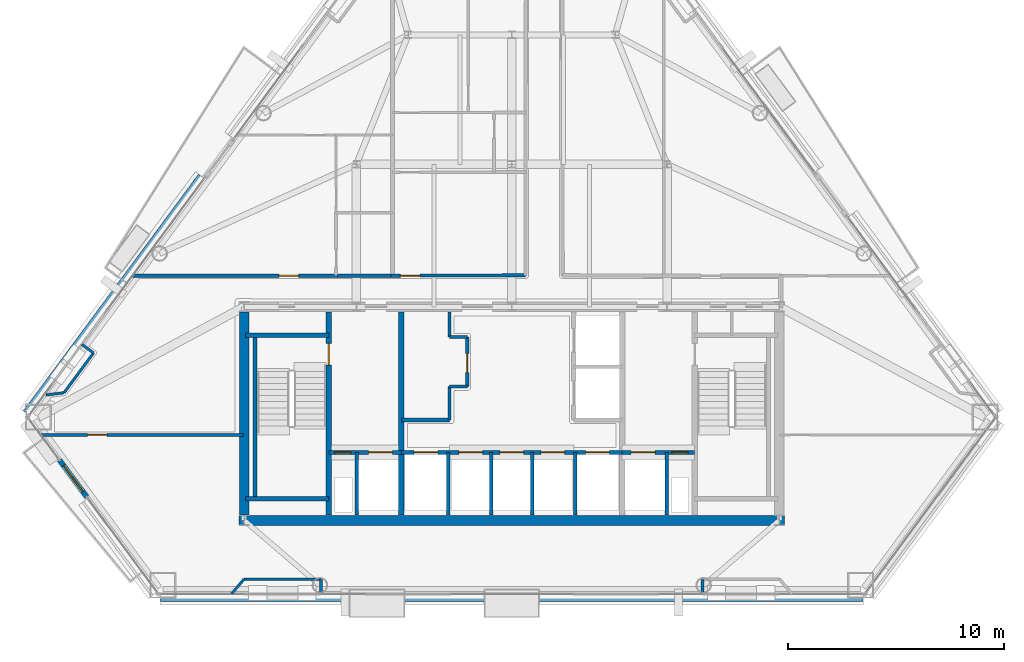
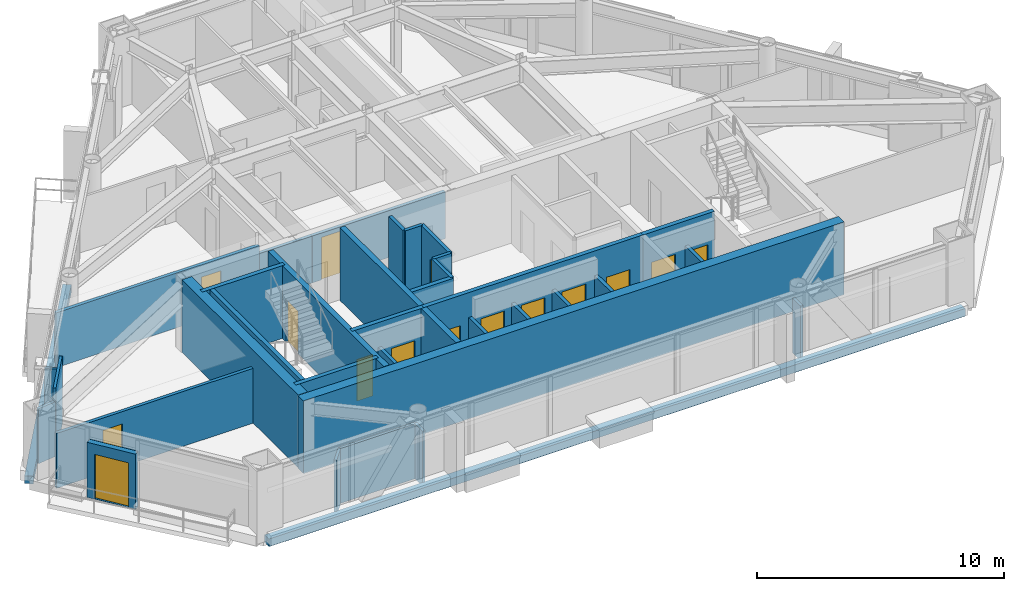
# One storey, part 8 of 13: 36 walls, 15 doors, 15 openings.
"""IFC4 building model written with IfcOpenShell, lengths in metres."""

from ifc_helpers import new_model, si_unit, direction, frame, frame_2d, origin, place, context, subcontext, project, spatial, rectangle, extrude, material, layer, layer_set, type_object, element, fill, save


model = new_model("IFC4")

# Units and contexts
model_context = context("Model", 3, precision=1e-05, world=origin(), true_north=direction((0.0, 1.0)))
body_context = subcontext(model_context, "Body", "Model", "MODEL_VIEW")
ifc_project = project(units=[si_unit("LENGTHUNIT", "METRE"), si_unit("AREAUNIT", "SQUARE_METRE"), si_unit("VOLUMEUNIT", "CUBIC_METRE"), si_unit("PLANEANGLEUNIT", "RADIAN"), si_unit("MASSUNIT", "GRAM", prefix="KILO")], contexts=[model_context])

# Site, building, storey
site_placement = place(None, origin())
site = spatial("IfcSite", under=ifc_project, at=site_placement, CompositionType="ELEMENT")
building_placement = place(site_placement, origin())
building = spatial("IfcBuilding", under=site, at=building_placement, Name="Talgorran Terracotta Tower", CompositionType="ELEMENT")
storey_placement = place(building_placement, frame((0.0, 0.0, 99.60009765625)))
storey = spatial("IfcBuildingStorey", under=building, at=storey_placement, Name="L25", CompositionType="ELEMENT", Elevation=99.60009765625)

# Wall, opening, door
ifc_material_1 = material(Name="Concrete C40/50", Category="concrete")
ifc_layer_1 = layer(ifc_material_1, 0.239990234375, Name="WT_BALCONY_SPAND")
ifc_layer_set_1 = layer_set([ifc_layer_1], Name="Concrete C40/50")
wall_type_1 = type_object("IfcWallType", Name="WT_BALCONY_SPAND", PredefinedType="STANDARD", material=ifc_layer_set_1)
wall_1_placement = place(storey_placement, frame((-20.963134765625, -11.300048828125, -0.01513671875), z_axis=(0.0, 0.0, 1.0), x_axis=(0.59491376708, -0.803789530747, 0.0)))
wall_1 = element("IfcWall", 1, at=wall_1_placement, inside=storey, type_object=wall_type_1, Name="WL-L25-BALP-BAL-SW", PredefinedType="STANDARD", context=body_context, shape_type="SweptSolid", body=[
    extrude(rectangle(XDim=2.14013671875, YDim=0.239990234375, at=frame_2d((1.070068359375, 0.0))), origin(), (0.0, 0.0, 1.0), 2.728515625),
])
opening_1_placement = place(wall_1_placement, frame((0.320068359375, 0.0, 0.014892578125)))
opening_1 = element("IfcOpeningElement", 2, at=opening_1_placement, cuts=wall_1, Name="Opening D-BAL-L25-3", PredefinedType="OPENING", context=body_context, shape_type="SweptSolid", body=[
    extrude(rectangle(XDim=1.506, YDim=2.203951171875, at=frame_2d((0.75, 1.10205078125))), frame((0.0, 0.1298828125, 0.0), z_axis=(0.0, -1.0, 0.0), x_axis=(1.0, 0.0, 0.0)), (0.0, 0.0, 1.0), 0.260009765625),
])
ifc_material_2 = material(Name="Thermally Broken Aluminium", Category="aluminium")
door_type_1 = type_object("IfcDoorType", Name="DT_BALC_1500", OperationType="SLIDING_TO_RIGHT", PredefinedType="DOOR", material=ifc_material_2)
door_1_placement = place(opening_1_placement, origin())
door_1 = element("IfcDoor", 3, at=door_1_placement, inside=storey, type_object=door_type_1, Name="DR-L25-BAL-BAL-SW", OperationType="SLIDING_TO_RIGHT", OverallHeight=2.199951171875, OverallWidth=1.5, PredefinedType="DOOR", context=body_context, shape_type="SweptSolid", body=[
    extrude(rectangle(XDim=1.5, YDim=2.199951171875, at=frame_2d((0.75, 1.10009765625))), frame((0.0, 0.02490234375, 0.0), z_axis=(0.0, -1.0, 0.0), x_axis=(1.0, 0.0, 0.0)), (0.0, 0.0, 1.0), 0.050048828125),
])
fill(opening_1, door_1)

# Walls
ifc_material_3 = material(Name="Concrete C50/60", Category="concrete")
ifc_layer_2 = layer(ifc_material_3, 0.199951171875, Name="WT_CORE_200")
ifc_layer_set_2 = layer_set([ifc_layer_2], Name="Concrete C50/60")
wall_type_2 = type_object("IfcWallType", Name="WT_CORE_200", PredefinedType="SOLIDWALL", material=ifc_layer_set_2)
for number, where, z_axis, x_axis, name in (
    (4, (-12.35009765625, -5.52001953125, 0.0), (0.0, 0.0, 1.0), (1.0, 0.0, 0.0), "WL-L25-CW-ST1-N"),
    (5, (-12.35009765625, -13.10009765625, 0.0), (0.0, 0.0, 1.0), (1.0, 0.0, 0.0), "WL-L25-CW-ST1-S"),
):
    element("IfcWall", number, at=place(storey_placement, frame(where, z_axis=z_axis, x_axis=x_axis)), inside=storey, type_object=wall_type_2, Name=name, PredefinedType="SOLIDWALL", context=body_context, shape_type="SweptSolid", body=[
        extrude(rectangle(XDim=3.8701171875, YDim=0.199951171875, at=frame_2d((1.93505859375, 0.0))), origin(), (0.0, 0.0, 1.0), 3.599853515625),
    ])
wall_2_placement = place(storey_placement, frame((-11.89990234375, -13.10009765625, 0.0), z_axis=(0.0, 0.0, 1.0), x_axis=(0.0, 1.0, 0.0)))
element("IfcWall", 6, at=wall_2_placement, inside=storey, type_object=wall_type_2, Name="WL-L25-CW-ST1-W", PredefinedType="SOLIDWALL", context=body_context, shape_type="SweptSolid", body=[
    extrude(rectangle(XDim=7.580078125, YDim=0.199951171875, at=frame_2d((3.7900390625, 0.0))), origin(), (0.0, 0.0, 1.0), 3.599853515625),
])

# Wall, openings, doors
wall_3_placement = place(storey_placement, frame((-8.47998046875, -10.949951171875, 0.0), z_axis=(0.0, 0.0, 1.0), x_axis=(1.0, 0.0, 0.0)))
wall_3 = element("IfcWall", 7, at=wall_3_placement, inside=storey, type_object=wall_type_2, Name="WL-L25-CW-H-SBW", PredefinedType="SOLIDWALL", context=body_context, shape_type="SweptSolid", body=[
    extrude(rectangle(XDim=3.35986328125, YDim=0.199951171875, at=frame_2d((1.679931640625, 0.0))), origin(), (0.0, 0.0, 1.0), 3.599853515625),
])
opening_2_placement = place(wall_3_placement, frame((0.280029296875, 0.0, 0.0)))
opening_2 = element("IfcOpeningElement", 8, at=opening_2_placement, cuts=wall_3, Name="Opening DR-RSW", PredefinedType="OPENING", context=body_context, shape_type="SweptSolid", body=[
    extrude(rectangle(XDim=0.756, YDim=2.054048828125, at=frame_2d((0.375, 1.027099609375))), frame((0.0, 0.10986328125, 0.0), z_axis=(0.0, -1.0, 0.0), x_axis=(1.0, 0.0, 0.0)), (0.0, 0.0, 1.0), 0.219970703125),
])
opening_3_placement = place(wall_3_placement, frame((1.85009765625, 0.0, 0.0)))
opening_3 = element("IfcOpeningElement", 9, at=opening_3_placement, cuts=wall_3, Name="Opening LD-FFL1", PredefinedType="OPENING", context=body_context, shape_type="SweptSolid", body=[
    extrude(rectangle(XDim=1.10609765625, YDim=2.10409765625, at=frame_2d((0.550048828125, 1.052001953125))), frame((0.0, 0.10986328125, 0.0), z_axis=(0.0, -1.0, 0.0), x_axis=(1.0, 0.0, 0.0)), (0.0, 0.0, 1.0), 0.219970703125),
])
ifc_material_4 = material(Name="Brushed Stainless Steel Grade 304", Category="steel")
door_type_2 = type_object("IfcDoorType", Name="DT_LIFT_LD1100", OperationType="DOUBLE_DOOR_SLIDING", PredefinedType="DOOR", material=ifc_material_4)
door_2_placement = place(opening_3_placement, origin())
door_2 = element("IfcDoor", 10, at=door_2_placement, inside=storey, type_object=door_type_2, Name="L25 Lift Landing Door LD-FFL1", OperationType="DOUBLE_DOOR_SLIDING", OverallHeight=2.10009765625, OverallWidth=1.10009765625, PredefinedType="DOOR", context=body_context, shape_type="SweptSolid", body=[
    extrude(rectangle(XDim=1.10009765625, YDim=2.10009765625, at=frame_2d((0.550048828125, 1.050048828125))), frame((0.0, 0.02490234375, 0.0), z_axis=(0.0, -1.0, 0.0), x_axis=(1.0, 0.0, 0.0)), (0.0, 0.0, 1.0), 0.050048828125),
])
fill(opening_3, door_2)
ifc_material_5 = material(Name="Fire-Rated Pressed Steel", Category="steel")
door_type_3 = type_object("IfcDoorType", Name="DT_RISER_750", OperationType="NOTDEFINED", PredefinedType="DOOR", material=ifc_material_5)
door_3_placement = place(opening_2_placement, origin())
door_3 = element("IfcDoor", 11, at=door_3_placement, inside=storey, type_object=door_type_3, Name="DR-RSW", OperationType="SINGLE_SWING_LEFT", OverallHeight=2.050048828125, OverallWidth=0.75, PredefinedType="DOOR", context=body_context, shape_type="SweptSolid", body=[
    extrude(rectangle(XDim=0.75, YDim=2.050048828125, at=frame_2d((0.375, 1.02490234375))), frame((0.0, 0.02490234375, 0.0), z_axis=(0.0, -1.0, 0.0), x_axis=(1.0, 0.0, 0.0)), (0.0, 0.0, 1.0), 0.050048828125),
])
fill(opening_2, door_3)

wall_4_placement = place(storey_placement, frame((-5.1201171875, -10.949951171875, 0.0), z_axis=(0.0, 0.0, 1.0), x_axis=(1.0, 0.0, 0.0)))
wall_4 = element("IfcWall", 12, at=wall_4_placement, inside=storey, type_object=wall_type_2, Name="WL-L25-CW-H-SBC", PredefinedType="SOLIDWALL", context=body_context, shape_type="SweptSolid", body=[
    extrude(rectangle(XDim=10.240234375, YDim=0.199951171875, at=frame_2d((5.1201171875, 0.0))), origin(), (0.0, 0.0, 1.0), 3.599853515625),
])
opening_4_placement = place(wall_4_placement, frame((0.60009765625, 0.0, 0.0)))
opening_4 = element("IfcOpeningElement", 13, at=opening_4_placement, cuts=wall_4, Name="Opening LD-OB1", PredefinedType="OPENING", context=body_context, shape_type="SweptSolid", body=[
    extrude(rectangle(XDim=1.10609765625, YDim=2.10409765625, at=frame_2d((0.550048828125, 1.052001953125))), frame((0.0, 0.10986328125, 0.0), z_axis=(0.0, -1.0, 0.0), x_axis=(1.0, 0.0, 0.0)), (0.0, 0.0, 1.0), 0.219970703125),
])
opening_5_placement = place(wall_4_placement, frame((2.669921875, 0.0, 0.0)))
opening_5 = element("IfcOpeningElement", 14, at=opening_5_placement, cuts=wall_4, Name="Opening LD-PLH1", PredefinedType="OPENING", context=body_context, shape_type="SweptSolid", body=[
    extrude(rectangle(XDim=1.10609765625, YDim=2.10409765625, at=frame_2d((0.550048828125, 1.052001953125))), frame((0.0, 0.10986328125, 0.0), z_axis=(0.0, -1.0, 0.0), x_axis=(1.0, 0.0, 0.0)), (0.0, 0.0, 1.0), 0.219970703125),
])
opening_6_placement = place(wall_4_placement, frame((4.570068359375, 0.0, 0.0)))
opening_6 = element("IfcOpeningElement", 15, at=opening_6_placement, cuts=wall_4, Name="Opening LD-PLH2", PredefinedType="OPENING", context=body_context, shape_type="SweptSolid", body=[
    extrude(rectangle(XDim=1.10609765625, YDim=2.10409765625, at=frame_2d((0.550048828125, 1.052001953125))), frame((0.0, 0.10986328125, 0.0), z_axis=(0.0, -1.0, 0.0), x_axis=(1.0, 0.0, 0.0)), (0.0, 0.0, 1.0), 0.219970703125),
])
opening_7_placement = place(wall_4_placement, frame((6.469970703125, 0.0, 0.0)))
opening_7 = element("IfcOpeningElement", 16, at=opening_7_placement, cuts=wall_4, Name="Opening LD-PLH3", PredefinedType="OPENING", context=body_context, shape_type="SweptSolid", body=[
    extrude(rectangle(XDim=1.10609765625, YDim=2.10409765625, at=frame_2d((0.550048828125, 1.052001953125))), frame((0.0, 0.10986328125, 0.0), z_axis=(0.0, -1.0, 0.0), x_axis=(1.0, 0.0, 0.0)), (0.0, 0.0, 1.0), 0.219970703125),
])
opening_8_placement = place(wall_4_placement, frame((8.5400390625, 0.0, 0.0)))
opening_8 = element("IfcOpeningElement", 17, at=opening_8_placement, cuts=wall_4, Name="Opening LD-SVL1", PredefinedType="OPENING", context=body_context, shape_type="SweptSolid", body=[
    extrude(rectangle(XDim=1.10609765625, YDim=2.10409765625, at=frame_2d((0.550048828125, 1.052001953125))), frame((0.0, 0.10986328125, 0.0), z_axis=(0.0, -1.0, 0.0), x_axis=(1.0, 0.0, 0.0)), (0.0, 0.0, 1.0), 0.219970703125),
])
door_4_placement = place(opening_4_placement, origin())
door_4 = element("IfcDoor", 18, at=door_4_placement, inside=storey, type_object=door_type_2, Name="L25 Lift Landing Door LD-OB1", OperationType="DOUBLE_DOOR_SLIDING", OverallHeight=2.10009765625, OverallWidth=1.10009765625, PredefinedType="DOOR", context=body_context, shape_type="SweptSolid", body=[
    extrude(rectangle(XDim=1.10009765625, YDim=2.10009765625, at=frame_2d((0.550048828125, 1.050048828125))), frame((0.0, 0.02490234375, 0.0), z_axis=(0.0, -1.0, 0.0), x_axis=(1.0, 0.0, 0.0)), (0.0, 0.0, 1.0), 0.050048828125),
])
fill(opening_4, door_4)
door_5_placement = place(opening_5_placement, origin())
door_5 = element("IfcDoor", 19, at=door_5_placement, inside=storey, type_object=door_type_2, Name="L25 Lift Landing Door LD-PLH1", OperationType="DOUBLE_DOOR_SLIDING", OverallHeight=2.10009765625, OverallWidth=1.10009765625, PredefinedType="DOOR", context=body_context, shape_type="SweptSolid", body=[
    extrude(rectangle(XDim=1.10009765625, YDim=2.10009765625, at=frame_2d((0.550048828125, 1.050048828125))), frame((0.0, 0.02490234375, 0.0), z_axis=(0.0, -1.0, 0.0), x_axis=(1.0, 0.0, 0.0)), (0.0, 0.0, 1.0), 0.050048828125),
])
fill(opening_5, door_5)
door_6_placement = place(opening_6_placement, origin())
door_6 = element("IfcDoor", 20, at=door_6_placement, inside=storey, type_object=door_type_2, Name="L25 Lift Landing Door LD-PLH2", OperationType="DOUBLE_DOOR_SLIDING", OverallHeight=2.10009765625, OverallWidth=1.10009765625, PredefinedType="DOOR", context=body_context, shape_type="SweptSolid", body=[
    extrude(rectangle(XDim=1.10009765625, YDim=2.10009765625, at=frame_2d((0.550048828125, 1.050048828125))), frame((0.0, 0.02490234375, 0.0), z_axis=(0.0, -1.0, 0.0), x_axis=(1.0, 0.0, 0.0)), (0.0, 0.0, 1.0), 0.050048828125),
])
fill(opening_6, door_6)
door_7_placement = place(opening_7_placement, origin())
door_7 = element("IfcDoor", 21, at=door_7_placement, inside=storey, type_object=door_type_2, Name="L25 Lift Landing Door LD-PLH3", OperationType="DOUBLE_DOOR_SLIDING", OverallHeight=2.10009765625, OverallWidth=1.10009765625, PredefinedType="DOOR", context=body_context, shape_type="SweptSolid", body=[
    extrude(rectangle(XDim=1.10009765625, YDim=2.10009765625, at=frame_2d((0.550048828125, 1.050048828125))), frame((0.0, 0.02490234375, 0.0), z_axis=(0.0, -1.0, 0.0), x_axis=(1.0, 0.0, 0.0)), (0.0, 0.0, 1.0), 0.050048828125),
])
fill(opening_7, door_7)
door_8_placement = place(opening_8_placement, origin())
door_8 = element("IfcDoor", 22, at=door_8_placement, inside=storey, type_object=door_type_2, Name="L25 Lift Landing Door LD-SVL1", OperationType="DOUBLE_DOOR_SLIDING", OverallHeight=2.10009765625, OverallWidth=1.10009765625, PredefinedType="DOOR", context=body_context, shape_type="SweptSolid", body=[
    extrude(rectangle(XDim=1.10009765625, YDim=2.10009765625, at=frame_2d((0.550048828125, 1.050048828125))), frame((0.0, 0.02490234375, 0.0), z_axis=(0.0, -1.0, 0.0), x_axis=(1.0, 0.0, 0.0)), (0.0, 0.0, 1.0), 0.050048828125),
])
fill(opening_8, door_8)

wall_5_placement = place(storey_placement, frame((5.1201171875, -10.949951171875, 0.0), z_axis=(0.0, 0.0, 1.0), x_axis=(1.0, 0.0, 0.0)))
wall_5 = element("IfcWall", 23, at=wall_5_placement, inside=storey, type_object=wall_type_2, Name="WL-L25-CW-H-SBE", PredefinedType="SOLIDWALL", context=body_context, shape_type="SweptSolid", body=[
    extrude(rectangle(XDim=3.35986328125, YDim=0.199951171875, at=frame_2d((1.679931640625, 0.0))), origin(), (0.0, 0.0, 1.0), 3.599853515625),
])
opening_9_placement = place(wall_5_placement, frame((0.419921875, 0.0, 0.0)))
opening_9 = element("IfcOpeningElement", 24, at=opening_9_placement, cuts=wall_5, Name="Opening LD-FFL2", PredefinedType="OPENING", context=body_context, shape_type="SweptSolid", body=[
    extrude(rectangle(XDim=1.10609765625, YDim=2.10409765625, at=frame_2d((0.550048828125, 1.052001953125))), frame((0.0, 0.10986328125, 0.0), z_axis=(0.0, -1.0, 0.0), x_axis=(1.0, 0.0, 0.0)), (0.0, 0.0, 1.0), 0.219970703125),
])
opening_10_placement = place(wall_5_placement, frame((2.300048828125, 0.0, 0.0)))
opening_10 = element("IfcOpeningElement", 25, at=opening_10_placement, cuts=wall_5, Name="Opening DR-RSE", PredefinedType="OPENING", context=body_context, shape_type="SweptSolid", body=[
    extrude(rectangle(XDim=0.756, YDim=2.054048828125, at=frame_2d((0.375, 1.027099609375))), frame((0.0, 0.10986328125, 0.0), z_axis=(0.0, -1.0, 0.0), x_axis=(1.0, 0.0, 0.0)), (0.0, 0.0, 1.0), 0.219970703125),
])
door_9_placement = place(opening_9_placement, origin())
door_9 = element("IfcDoor", 26, at=door_9_placement, inside=storey, type_object=door_type_2, Name="L25 Lift Landing Door LD-FFL2", OperationType="DOUBLE_DOOR_SLIDING", OverallHeight=2.10009765625, OverallWidth=1.10009765625, PredefinedType="DOOR", context=body_context, shape_type="SweptSolid", body=[
    extrude(rectangle(XDim=1.10009765625, YDim=2.10009765625, at=frame_2d((0.550048828125, 1.050048828125))), frame((0.0, 0.02490234375, 0.0), z_axis=(0.0, -1.0, 0.0), x_axis=(1.0, 0.0, 0.0)), (0.0, 0.0, 1.0), 0.050048828125),
])
fill(opening_9, door_9)
door_10_placement = place(opening_10_placement, origin())
door_10 = element("IfcDoor", 27, at=door_10_placement, inside=storey, type_object=door_type_3, Name="DR-RSE", OperationType="SINGLE_SWING_RIGHT", OverallHeight=2.050048828125, OverallWidth=0.75, PredefinedType="DOOR", context=body_context, shape_type="SweptSolid", body=[
    extrude(rectangle(XDim=0.75, YDim=2.050048828125, at=frame_2d((0.375, 1.02490234375))), frame((0.0, 0.02490234375, 0.0), z_axis=(0.0, -1.0, 0.0), x_axis=(1.0, 0.0, 0.0)), (0.0, 0.0, 1.0), 0.050048828125),
])
fill(opening_10, door_10)

# Wall
wall_6_placement = place(storey_placement, frame((-5.1201171875, -9.449951171875, 0.0), z_axis=(0.0, 0.0, 1.0), x_axis=(1.0, 0.0, 0.0)))
element("IfcWall", 28, at=wall_6_placement, inside=storey, type_object=wall_type_2, Name="WL-L25-CW-H-W4", PredefinedType="SOLIDWALL", context=body_context, shape_type="SweptSolid", body=[
    extrude(rectangle(XDim=2.240234375, YDim=0.199951171875, at=frame_2d((1.1201171875, 0.0))), origin(), (0.0, 0.0, 1.0), 3.349853515625),
])

# Wall, opening, door
ifc_layer_3 = layer(ifc_material_3, 0.25, Name="WT_CORE_250")
ifc_layer_set_3 = layer_set([ifc_layer_3], Name="Concrete C50/60")
wall_type_3 = type_object("IfcWallType", Name="WT_CORE_250", PredefinedType="SHEAR", material=ifc_layer_set_3)
wall_7_placement = place(storey_placement, frame((-8.47998046875, -13.85009765625, 0.0), z_axis=(0.0, 0.0, 1.0), x_axis=(0.0, 1.0, 0.0)))
wall_7 = element("IfcWall", 29, at=wall_7_placement, inside=storey, type_object=wall_type_3, Name="WL-L25-CW-V-W1", PredefinedType="SHEAR", context=body_context, shape_type="SweptSolid", body=[
    extrude(rectangle(XDim=9.400146484375, YDim=0.25, at=frame_2d((4.7001953125, 0.0))), origin(), (0.0, 0.0, 1.0), 3.599853515625),
])
opening_11_placement = place(wall_7_placement, frame((6.949951171875, 0.0, 0.0)))
opening_11 = element("IfcOpeningElement", 30, at=opening_11_placement, cuts=wall_7, Name="Opening DR-ST01", PredefinedType="OPENING", context=body_context, shape_type="SweptSolid", body=[
    extrude(rectangle(XDim=1.006, YDim=2.10409765625, at=frame_2d((0.5, 1.052001953125))), frame((0.0, 0.135009765625, 0.0), z_axis=(0.0, -1.0, 0.0), x_axis=(1.0, 0.0, 0.0)), (0.0, 0.0, 1.0), 0.27001953125),
])
door_type_4 = type_object("IfcDoorType", Name="DT_FIRE_1000", OperationType="NOTDEFINED", PredefinedType="DOOR", material=ifc_material_5)
door_11_placement = place(opening_11_placement, origin())
door_11 = element("IfcDoor", 31, at=door_11_placement, inside=storey, type_object=door_type_4, Name="DR-ST01", OperationType="SINGLE_SWING_LEFT", OverallHeight=2.10009765625, OverallWidth=1.0, PredefinedType="DOOR", context=body_context, shape_type="SweptSolid", body=[
    extrude(rectangle(XDim=1.0, YDim=2.10009765625, at=frame_2d((0.5, 1.050048828125))), frame((0.0, 0.02490234375, 0.0), z_axis=(0.0, -1.0, 0.0), x_axis=(1.0, 0.0, 0.0)), (0.0, 0.0, 1.0), 0.050048828125),
])
fill(opening_11, door_11)

# Walls
wall_8_placement = place(storey_placement, frame((-5.1201171875, -13.85009765625, 0.0), z_axis=(0.0, 0.0, 1.0), x_axis=(0.0, 1.0, 0.0)))
element("IfcWall", 32, at=wall_8_placement, inside=storey, type_object=wall_type_3, Name="WL-L25-CW-V-W2", PredefinedType="SHEAR", context=body_context, shape_type="SweptSolid", body=[
    extrude(rectangle(XDim=9.400146484375, YDim=0.25, at=frame_2d((4.7001953125, 0.0))), origin(), (0.0, 0.0, 1.0), 3.599853515625),
])
ifc_material_6 = material(Name="Concrete C65/80", Category="concrete")
ifc_layer_4 = layer(ifc_material_6, 0.449951171875, Name="WT_CORE_EXT")
ifc_layer_set_4 = layer_set([ifc_layer_4], Name="Concrete C65/80")
wall_type_4 = type_object("IfcWallType", Name="WT_CORE_EXT", PredefinedType="SHEAR", material=ifc_layer_set_4)
wall_9_placement = place(storey_placement, frame((-12.64990234375, -14.10009765625, 0.0), z_axis=(0.0, 0.0, 1.0), x_axis=(1.0, 0.0, 0.0)))
element("IfcWall", 33, at=wall_9_placement, inside=storey, type_object=wall_type_4, Name="WL-L25-CW-OUT-S", PredefinedType="SHEAR", context=body_context, shape_type="SweptSolid", body=[
    extrude(rectangle(XDim=25.2998046875, YDim=0.449951171875, at=frame_2d((12.64990234375, 0.0))), origin(), (0.0, 0.0, 1.0), 3.599853515625),
])
wall_10_placement = place(storey_placement, frame((-12.39990234375, -13.85009765625, 0.0), z_axis=(0.0, 0.0, 1.0), x_axis=(0.0, 1.0, 0.0)))
element("IfcWall", 34, at=wall_10_placement, inside=storey, type_object=wall_type_4, Name="WL-L25-CW-OUT-W", PredefinedType="SHEAR", context=body_context, shape_type="SweptSolid", body=[
    extrude(rectangle(XDim=9.400146484375, YDim=0.449951171875, at=frame_2d((4.7001953125, 0.0))), origin(), (0.0, 0.0, 1.0), 3.599853515625),
])
ifc_material_7 = material(Name="Fire-Rated Steel Stud Plasterboard", Category="steel")
ifc_layer_5 = layer(ifc_material_7, 0.14990234375, Name="WT_FIRE_150")
ifc_layer_set_5 = layer_set([ifc_layer_5], Name="Fire-Rated Steel Stud Plasterboard")
wall_type_5 = type_object("IfcWallType", Name="WT_FIRE_150", PredefinedType="PARTITIONING", material=ifc_layer_set_5)
wall_11_placement = place(storey_placement, frame((-2.8798828125, -9.449951171875, 0.0), z_axis=(0.0, 0.0, 1.0), x_axis=(0.0, 1.0, 0.0)))
element("IfcWall", 35, at=wall_11_placement, inside=storey, type_object=wall_type_5, Name="WL-L25-CW-V-W3A", PredefinedType="PARTITIONING", context=body_context, shape_type="SweptSolid", body=[
    extrude(rectangle(XDim=1.550048828125, YDim=0.14990234375, at=frame_2d((0.77490234375, 0.0))), origin(), (0.0, 0.0, 1.0), 3.349853515625),
])
wall_12_placement = place(storey_placement, frame((-2.8798828125, -7.89990234375, 0.0), z_axis=(0.0, 0.0, 1.0), x_axis=(1.0, 0.0, 0.0)))
element("IfcWall", 36, at=wall_12_placement, inside=storey, type_object=wall_type_5, Name="WL-L25-CW-H-W3B", PredefinedType="PARTITIONING", context=body_context, shape_type="SweptSolid", body=[
    extrude(rectangle(XDim=0.81982421875, YDim=0.14990234375, at=frame_2d((0.409912109375, 0.0))), origin(), (0.0, 0.0, 1.0), 3.349853515625),
])

# Wall, opening, door
wall_13_placement = place(storey_placement, frame((-2.06005859375, -7.89990234375, 0.0), z_axis=(0.0, 0.0, 1.0), x_axis=(0.0, 1.0, 0.0)))
wall_13 = element("IfcWall", 37, at=wall_13_placement, inside=storey, type_object=wall_type_5, Name="WL-L25-CW-V-W3C", PredefinedType="PARTITIONING", context=body_context, shape_type="SweptSolid", body=[
    extrude(rectangle(XDim=2.2998046875, YDim=0.14990234375, at=frame_2d((1.14990234375, 0.0))), origin(), (0.0, 0.0, 1.0), 3.349853515625),
])
opening_12_placement = place(wall_13_placement, frame((0.64990234375, 0.0, 0.0)))
opening_12 = element("IfcOpeningElement", 38, at=opening_12_placement, cuts=wall_13, Name="Opening DR-FRPLL-B", PredefinedType="OPENING", context=body_context, shape_type="SweptSolid", body=[
    extrude(rectangle(XDim=0.8858828125, YDim=2.10409765625, at=frame_2d((0.43994140625, 1.052001953125))), frame((0.0, 0.0849609375, 0.0), z_axis=(0.0, -1.0, 0.0), x_axis=(1.0, 0.0, 0.0)), (0.0, 0.0, 1.0), 0.169921875),
])
ifc_material_8 = material(Name="Solid-Core Painted Timber", Category="wood")
door_type_5 = type_object("IfcDoorType", Name="DT_INT_880", OperationType="NOTDEFINED", PredefinedType="DOOR", material=ifc_material_8)
door_12_placement = place(opening_12_placement, origin())
door_12 = element("IfcDoor", 39, at=door_12_placement, inside=storey, type_object=door_type_5, Name="DR-FRPLL-B", OperationType="SINGLE_SWING_LEFT", OverallHeight=2.10009765625, OverallWidth=0.8798828125, PredefinedType="DOOR", context=body_context, shape_type="SweptSolid", body=[
    extrude(rectangle(XDim=0.8798828125, YDim=2.10009765625, at=frame_2d((0.43994140625, 1.050048828125))), frame((0.0, 0.02490234375, 0.0), z_axis=(0.0, -1.0, 0.0), x_axis=(1.0, 0.0, 0.0)), (0.0, 0.0, 1.0), 0.050048828125),
])
fill(opening_12, door_12)

# Walls
wall_14_placement = place(storey_placement, frame((-2.8798828125, -5.60009765625, 0.0), z_axis=(0.0, 0.0, 1.0), x_axis=(1.0, 0.0, 0.0)))
element("IfcWall", 40, at=wall_14_placement, inside=storey, type_object=wall_type_5, Name="WL-L25-CW-H-W3D", PredefinedType="PARTITIONING", context=body_context, shape_type="SweptSolid", body=[
    extrude(rectangle(XDim=0.81982421875, YDim=0.14990234375, at=frame_2d((0.409912109375, 0.0))), origin(), (0.0, 0.0, 1.0), 3.349853515625),
])
wall_15_placement = place(storey_placement, frame((-2.8798828125, -5.60009765625, 0.0), z_axis=(0.0, 0.0, 1.0), x_axis=(0.0, 1.0, 0.0)))
element("IfcWall", 41, at=wall_15_placement, inside=storey, type_object=wall_type_5, Name="WL-L25-CW-V-W3E", PredefinedType="PARTITIONING", context=body_context, shape_type="SweptSolid", body=[
    extrude(rectangle(XDim=1.150146484375, YDim=0.14990234375, at=frame_2d((0.5751953125, 0.0))), origin(), (0.0, 0.0, 1.0), 3.349853515625),
])

# Wall, opening, door
wall_16_placement = place(storey_placement, frame((-17.579833984375, -2.760009765625, 0.0), z_axis=(0.0, 0.0, 1.0), x_axis=(1.0, 0.0, 0.0)))
wall_16 = element("IfcWall", 42, at=wall_16_placement, inside=storey, type_object=wall_type_5, Name="WL-L25-W-L25-R02", PredefinedType="PARTITIONING", context=body_context, shape_type="SweptSolid", body=[
    extrude(rectangle(XDim=9.499755859375, YDim=0.14990234375, at=frame_2d((4.75, 0.0))), origin(), (0.0, 0.0, 1.0), 2.71337890625),
])
opening_13_placement = place(wall_16_placement, frame((6.803955078125, 0.0, 0.0)))
opening_13 = element("IfcOpeningElement", 43, at=opening_13_placement, cuts=wall_16, Name="Opening DR-L25-R03", PredefinedType="OPENING", context=body_context, shape_type="SweptSolid", body=[
    extrude(rectangle(XDim=0.90590234375, YDim=2.10409765625, at=frame_2d((0.449951171875, 1.052001953125))), frame((0.0, 0.0849609375, 0.0), z_axis=(0.0, -1.0, 0.0), x_axis=(1.0, 0.0, 0.0)), (0.0, 0.0, 1.0), 0.169921875),
])
ifc_material_9 = material(Name="Fire-Rated Timber Core", Category="wood")
door_type_6 = type_object("IfcDoorType", Name="DT_FIRE_900", OperationType="NOTDEFINED", PredefinedType="DOOR", material=ifc_material_9)
door_13_placement = place(opening_13_placement, origin())
door_13 = element("IfcDoor", 44, at=door_13_placement, inside=storey, type_object=door_type_6, Name="DR-L25-R03", OperationType="SINGLE_SWING_LEFT", OverallHeight=2.10009765625, OverallWidth=0.89990234375, PredefinedType="DOOR", context=body_context, shape_type="SweptSolid", body=[
    extrude(rectangle(XDim=0.89990234375, YDim=2.10009765625, at=frame_2d((0.449951171875, 1.050048828125))), frame((0.0, 0.02490234375, 0.0), z_axis=(0.0, -1.0, 0.0), x_axis=(1.0, 0.0, 0.0)), (0.0, 0.0, 1.0), 0.050048828125),
])
fill(opening_13, door_13)

wall_17_placement = place(storey_placement, frame((-21.82177734375, -10.139892578125, 0.0), z_axis=(0.0, 0.0, 1.0), x_axis=(1.0, 0.0, 0.0)))
wall_17 = element("IfcWall", 45, at=wall_17_placement, inside=storey, type_object=wall_type_5, Name="WL-L25-W-L25-R12", PredefinedType="PARTITIONING", context=body_context, shape_type="SweptSolid", body=[
    extrude(rectangle(XDim=9.3818359375, YDim=0.14990234375, at=frame_2d((4.69091796875, 0.0))), origin(), (0.0, 0.0, 1.0), 2.71337890625),
])
opening_14_placement = place(wall_17_placement, frame((2.170166015625, 0.0, 0.0)))
opening_14 = element("IfcOpeningElement", 46, at=opening_14_placement, cuts=wall_17, Name="Opening DR-L25-R12", PredefinedType="OPENING", context=body_context, shape_type="SweptSolid", body=[
    extrude(rectangle(XDim=0.90590234375, YDim=2.10409765625, at=frame_2d((0.449951171875, 1.052001953125))), frame((0.0, 0.0849609375, 0.0), z_axis=(0.0, -1.0, 0.0), x_axis=(1.0, 0.0, 0.0)), (0.0, 0.0, 1.0), 0.169921875),
])
door_14_placement = place(opening_14_placement, origin())
door_14 = element("IfcDoor", 47, at=door_14_placement, inside=storey, type_object=door_type_6, Name="DR-L25-R12", OperationType="SINGLE_SWING_RIGHT", OverallHeight=2.10009765625, OverallWidth=0.89990234375, PredefinedType="DOOR", context=body_context, shape_type="SweptSolid", body=[
    extrude(rectangle(XDim=0.89990234375, YDim=2.10009765625, at=frame_2d((0.449951171875, 1.050048828125))), frame((0.0, 0.02490234375, 0.0), z_axis=(0.0, -1.0, 0.0), x_axis=(1.0, 0.0, 0.0)), (0.0, 0.0, 1.0), 0.050048828125),
])
fill(opening_14, door_14)

wall_18_placement = place(storey_placement, frame((-5.60009765625, -2.760009765625, 0.0), z_axis=(0.0, 0.0, 1.0), x_axis=(0.999994853563, 0.003208246723, 0.0)))
wall_18 = element("IfcWall", 48, at=wall_18_placement, inside=storey, type_object=wall_type_5, Name="WL-L25-W-L25-R03", PredefinedType="PARTITIONING", context=body_context, shape_type="SweptSolid", body=[
    extrude(rectangle(XDim=6.239990234375, YDim=0.14990234375, at=frame_2d((3.1201171875, 0.0))), origin(), (0.0, 0.0, 1.0), 2.324951171875),
])
opening_15_placement = place(wall_18_placement, frame((0.438720703125, 0.0, 0.0)))
opening_15 = element("IfcOpeningElement", 49, at=opening_15_placement, cuts=wall_18, Name="Opening DR-L25-R05", PredefinedType="OPENING", context=body_context, shape_type="SweptSolid", body=[
    extrude(rectangle(XDim=0.90590234375, YDim=2.10409765625, at=frame_2d((0.449951171875, 1.052001953125))), frame((0.0, 0.0849609375, 0.0), z_axis=(0.0, -1.0, 0.0), x_axis=(1.0, 0.0, 0.0)), (0.0, 0.0, 1.0), 0.169921875),
])
door_15_placement = place(opening_15_placement, origin())
door_15 = element("IfcDoor", 50, at=door_15_placement, inside=storey, type_object=door_type_6, Name="DR-L25-R05", OperationType="SINGLE_SWING_LEFT", OverallHeight=2.10009765625, OverallWidth=0.89990234375, PredefinedType="DOOR", context=body_context, shape_type="SweptSolid", body=[
    extrude(rectangle(XDim=0.89990234375, YDim=2.10009765625, at=frame_2d((0.449951171875, 1.050048828125))), frame((0.0, 0.02490234375, 0.0), z_axis=(0.0, -1.0, 0.0), x_axis=(1.0, 0.0, 0.0)), (0.0, 0.0, 1.0), 0.050048828125),
])
fill(opening_15, door_15)

# Walls
wall_19_placement = place(storey_placement, frame((-8.077880859375, -2.760009765625, 0.0), z_axis=(0.0, 0.0, 1.0), x_axis=(1.0, 0.0, 0.0)))
element("IfcWall", 51, at=wall_19_placement, inside=storey, type_object=wall_type_5, Name="WL-L25-W-L25-R01", PredefinedType="PARTITIONING", context=body_context, shape_type="SweptSolid", body=[
    extrude(rectangle(XDim=2.475830078125, YDim=0.14990234375, at=frame_2d((1.23779296875, 0.0))), origin(), (0.0, 0.0, 1.0), 2.324951171875),
])
ifc_layer_6 = layer(ifc_material_1, 0.219970703125, Name="WT_PARAPET_RC")
ifc_layer_set_6 = layer_set([ifc_layer_6], Name="Concrete C40/50")
wall_type_6 = type_object("IfcWallType", Name="WT_PARAPET_RC", PredefinedType="PARAPET", material=ifc_layer_set_6)
wall_20_placement = place(storey_placement, frame((-16.28857421875, -17.667724609375, -0.2001953125), z_axis=(0.0, 0.0, 1.0), x_axis=(1.0, 0.0, 0.0)))
element("IfcWall", 52, at=wall_20_placement, inside=storey, type_object=wall_type_6, Name="L25 Striped Portal Precast Cornice F1", PredefinedType="PARAPET", context=body_context, shape_type="SweptSolid", body=[
    extrude(rectangle(XDim=32.5771484375, YDim=0.360107421875, at=frame_2d((16.28857421875, 0.0))), origin(), (0.0, 0.0, 1.0), 0.380126953125),
])
wall_21_placement = place(storey_placement, frame((-14.38134765625, 1.83056640625, -0.2001953125), z_axis=(0.0, 0.0, 1.0), x_axis=(-0.594911761431, -0.803791015197, 0.0)))
element("IfcWall", 53, at=wall_21_placement, inside=storey, type_object=wall_type_6, Name="L25 Striped Portal Precast Cornice F61", PredefinedType="PARAPET", context=body_context, shape_type="SweptSolid", body=[
    extrude(rectangle(XDim=13.62841796875, YDim=0.360107421875, at=frame_2d((6.814208984375, 0.0))), origin(), (0.0, 0.0, 1.0), 0.380126953125),
])
ifc_material_10 = material(Name="Insulated Steel Stud Plasterboard", Category="steel")
ifc_layer_7 = layer(ifc_material_10, 0.1201171875, Name="WT_PART_120")
ifc_layer_set_7 = layer_set([ifc_layer_7], Name="Insulated Steel Stud Plasterboard")
wall_type_7 = type_object("IfcWallType", Name="WT_PART_120", PredefinedType="PARTITIONING", material=ifc_layer_set_7)
wall_22_placement = place(storey_placement, frame((-12.410888671875, -16.827880859375, 0.0), z_axis=(0.0, 0.0, 1.0), x_axis=(1.0, 0.0, 0.0)))
element("IfcWall", 54, at=wall_22_placement, inside=storey, type_object=wall_type_7, Name="WL-L25-BW-L25-01", PredefinedType="PARTITIONING", context=body_context, shape_type="SweptSolid", body=[
    extrude(rectangle(XDim=3.56884765625, YDim=0.1201171875, at=frame_2d((1.784423828125, 0.0))), origin(), (0.0, 0.0, 1.0), 2.71337890625),
])
wall_23_placement = place(storey_placement, frame((-19.3828125, -6.339111328125, 0.0), z_axis=(0.0, 0.0, 1.0), x_axis=(-0.594914508596, -0.803788981924, 0.0)))
element("IfcWall", 55, at=wall_23_placement, inside=storey, type_object=wall_type_7, Name="WL-L25-BW-L25-08", PredefinedType="PARTITIONING", context=body_context, shape_type="SweptSolid", body=[
    extrude(rectangle(XDim=2.29443359375, YDim=0.1201171875, at=frame_2d((1.147216796875, 0.0))), origin(), (0.0, 0.0, 1.0), 3.349853515625),
])
wall_24_placement = place(storey_placement, frame((-12.982421875, -17.497802734375, 0.0), z_axis=(0.0, 0.0, 1.0), x_axis=(0.649031566587, 0.760761477451, 0.0)))
element("IfcWall", 56, at=wall_24_placement, inside=storey, type_object=wall_type_7, Name="WL-L25-BW-L25-03", PredefinedType="PARTITIONING", context=body_context, shape_type="SweptSolid", body=[
    extrude(rectangle(XDim=0.880615234375, YDim=0.1201171875, at=frame_2d((0.4404296875, 0.0))), origin(), (0.0, 0.0, 1.0), 2.71337890625),
])
wall_25_placement = place(storey_placement, frame((-20.747802734375, -8.183349609375, 0.0), z_axis=(0.0, 0.0, 1.0), x_axis=(-0.992286724014, -0.123963935667, 0.0)))
element("IfcWall", 57, at=wall_25_placement, inside=storey, type_object=wall_type_7, Name="WL-L25-BW-L25-09", PredefinedType="PARTITIONING", context=body_context, shape_type="SweptSolid", body=[
    extrude(rectangle(XDim=0.848876953125, YDim=0.1201171875, at=frame_2d((0.42431640625, 0.0))), origin(), (0.0, 0.0, 1.0), 2.71337890625),
])
wall_26_placement = place(storey_placement, frame((-19.92138671875, -5.9404296875, 0.0), z_axis=(0.0, 0.0, 1.0), x_axis=(0.803744328022, -0.594974835748, 0.0)))
element("IfcWall", 58, at=wall_26_placement, inside=storey, type_object=wall_type_7, Name="WL-L25-BW-L25-07", PredefinedType="PARTITIONING", context=body_context, shape_type="SweptSolid", body=[
    extrude(rectangle(XDim=0.670166015625, YDim=0.1201171875, at=frame_2d((0.3349609375, 0.0))), origin(), (0.0, 0.0, 1.0), 2.71337890625),
])
for number, where, z_axis, x_axis, name in (
    (59, (-8.842041015625, -16.827880859375, 0.0), (0.0, 0.0, 1.0), (0.0, -1.0, 0.0), "WL-L25-BW-L25-02"),
    (60, (8.842041015625, -17.497802734375, 0.0), (0.0, 0.0, 1.0), (0.0, 1.0, 0.0), "WL-L25-BW-L25-05"),
):
    element("IfcWall", number, at=place(storey_placement, frame(where, z_axis=z_axis, x_axis=x_axis)), inside=storey, type_object=wall_type_7, Name=name, PredefinedType="PARTITIONING", context=body_context, shape_type="SweptSolid", body=[
        extrude(rectangle(XDim=0.669921875, YDim=0.1201171875, at=frame_2d((0.3349609375, 0.0))), origin(), (0.0, 0.0, 1.0), 2.71337890625),
    ])
ifc_material_11 = material(Name="Fire-Rated Shaftwall")
ifc_layer_8 = layer(ifc_material_11, 0.159912109375, Name="WT_PART_150")
ifc_layer_set_8 = layer_set([ifc_layer_8], Name="Fire-Rated Shaftwall")
wall_type_8 = type_object("IfcWallType", Name="WT_PART_150", PredefinedType="PARTITIONING", material=ifc_layer_set_8)
for number, where, z_axis, x_axis, name in (
    (61, (-7.179931640625, -13.85009765625, 0.0), (0.0, 0.0, 1.0), (0.0, 1.0, 0.0), "WL-L25-CW-RSW"),
    (62, (7.179931640625, -13.85009765625, 0.0), (0.0, 0.0, 1.0), (0.0, 1.0, 0.0), "WL-L25-CW-RSE"),
    (63, (-2.949951171875, -13.85009765625, 0.0), (0.0, 0.0, 1.0), (0.0, 1.0, 0.0), "WL-L25-CW-OB-E"),
    (64, (2.949951171875, -13.85009765625, 0.0), (0.0, 0.0, 1.0), (0.0, 1.0, 0.0), "WL-L25-CW-SV-W"),
    (65, (-0.949951171875, -13.85009765625, 0.0), (0.0, 0.0, 1.0), (0.0, 1.0, 0.0), "WL-L25-CW-PLH-D1"),
    (66, (0.949951171875, -13.85009765625, 0.0), (0.0, 0.0, 1.0), (0.0, 1.0, 0.0), "WL-L25-CW-PLH-D2"),
):
    element("IfcWall", number, at=place(storey_placement, frame(where, z_axis=z_axis, x_axis=x_axis)), inside=storey, type_object=wall_type_8, Name=name, PredefinedType="PARTITIONING", context=body_context, shape_type="SweptSolid", body=[
        extrude(rectangle(XDim=2.900146484375, YDim=0.159912109375, at=frame_2d((1.4501953125, 0.0))), origin(), (0.0, 0.0, 1.0), 2.375),
    ])

save(model, "model.ifc")
